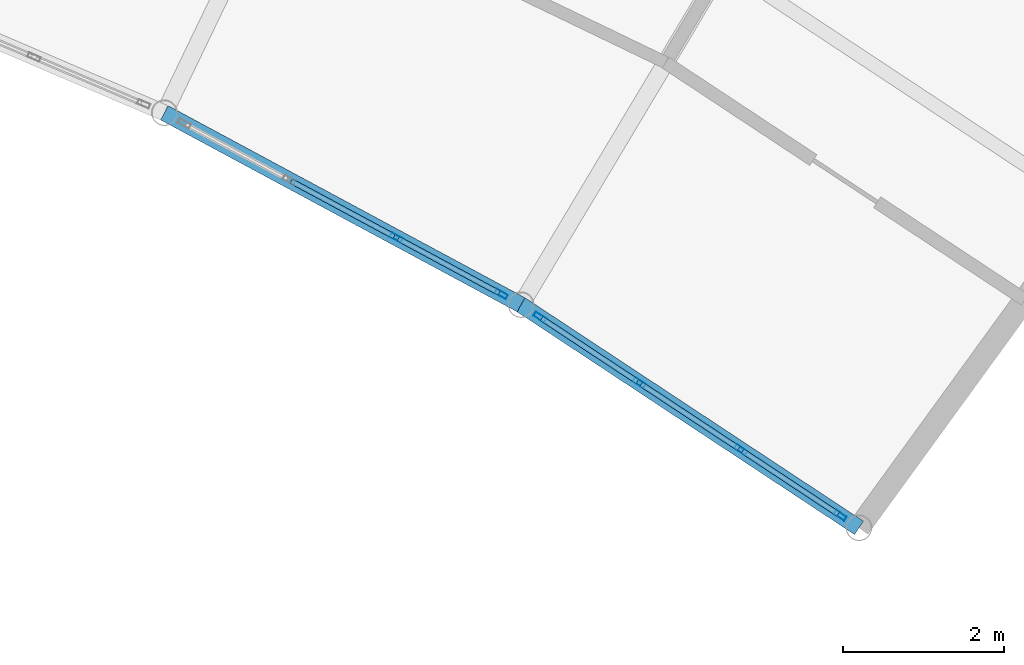
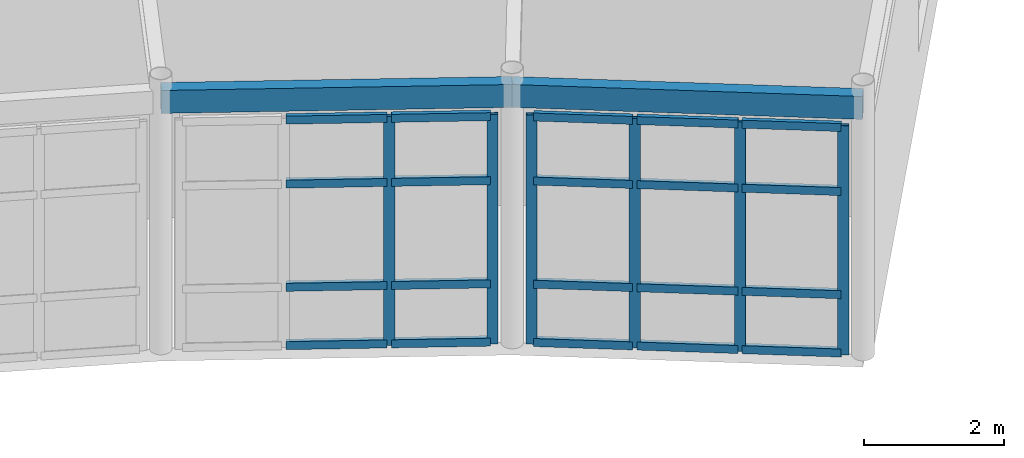
# One storey, part 76 of 116: 26 members, 2 beams, 2 elements without a shape of their own.
"""IFC4 building model written with IfcOpenShell, lengths in metres."""

from ifc_helpers import new_model, si_unit, direction, frame, origin, origin_2d, place, context, subcontext, project, spatial, hollow_rectangle, extrude, material, layer, layer_set, material_profile, profile_set, type_object, element, aggregate, save


model = new_model("IFC4")

# Units and contexts
model_context = context("Model", 3, precision=1e-05, world=origin(), true_north=direction((0.0, 1.0)))
body_context = subcontext(model_context, "Body", "Model", "MODEL_VIEW")
ifc_project = project(units=[si_unit("LENGTHUNIT", "METRE"), si_unit("AREAUNIT", "SQUARE_METRE"), si_unit("VOLUMEUNIT", "CUBIC_METRE"), si_unit("PLANEANGLEUNIT", "RADIAN"), si_unit("MASSUNIT", "GRAM", prefix="KILO")], contexts=[model_context])

# Site, building, storey
site_placement = place(None, origin())
site = spatial("IfcSite", under=ifc_project, at=site_placement, CompositionType="ELEMENT")
building_placement = place(site_placement, origin())
building = spatial("IfcBuilding", under=site, at=building_placement, Name="Selat Folded Stagehouse", CompositionType="ELEMENT")
storey_placement = place(building_placement, frame((0.0, 0.0, 5.39990234375)))
storey = spatial("IfcBuildingStorey", under=building, at=storey_placement, Name="L01", CompositionType="ELEMENT", Elevation=5.39990234375)

# Curtain wall, members
ifc_material_1 = material(Name="Aluminium 6063-T6", Category="aluminium")
ifc_layer = layer(ifc_material_1, 0.18994140625)
ifc_layer_set = layer_set([ifc_layer], Name="Aluminium 6063-T6")
curtain_wall_type = type_object("IfcCurtainWallType", Name="CW-REH-ARC", PredefinedType="NOTDEFINED", material=ifc_layer_set)
curtain_wall_1_placement = place(storey_placement, origin())
curtain_wall_1 = element("IfcCurtainWall", 1, at=curtain_wall_1_placement, inside=storey, type_object=curtain_wall_type, Name="L01 curtain wall CW-REH-L01-12", PredefinedType="NOTDEFINED")
ifc_material_profile_1 = material_profile(ifc_material_1, hollow_rectangle(XDim=0.06005859375, YDim=0.159912109375, WallThickness=0.00390625, at=origin_2d()), Name="ALU 160x60x4.0")
ifc_profile_set_1 = profile_set([ifc_material_profile_1], Name="Aluminium 6063-T6")
member_type_1 = type_object("IfcMemberType", Name="CWM-MUL-160x60", PredefinedType="MULLION", material=ifc_profile_set_1)
member_1_placement = place(storey_placement, frame((120.8759765625, 86.205810546875, 0.0), z_axis=(0.0, 0.0, 1.0), x_axis=(-0.473858636259, -0.880600927119, 0.0)))
member_1 = element("IfcMember", 2, at=member_1_placement, type_object=member_type_1, Name="CW-06 mullion 1", PredefinedType="MULLION", context=body_context, shape_type="SweptSolid", body=[
    extrude(hollow_rectangle(XDim=0.06005859375, YDim=0.159912109375, WallThickness=0.00390625, at=origin_2d()), origin(), (0.0, 0.0, 1.0), 4.0),
])
member_2_placement = place(storey_placement, frame((119.573974609375, 86.90625, 0.0), z_axis=(0.0, 0.0, 1.0), x_axis=(-0.473858636259, -0.880600927119, 0.0)))
member_2 = element("IfcMember", 3, at=member_2_placement, type_object=member_type_1, Name="CW-06 mullion 2", PredefinedType="MULLION", context=body_context, shape_type="SweptSolid", body=[
    extrude(hollow_rectangle(XDim=0.06005859375, YDim=0.159912109375, WallThickness=0.00390625, at=origin_2d()), origin(), (0.0, 0.0, 1.0), 4.0),
])

curtain_wall_2_placement = place(storey_placement, origin())
curtain_wall_2 = element("IfcCurtainWall", 4, at=curtain_wall_2_placement, inside=storey, type_object=curtain_wall_type, Name="L01 curtain wall CW-REH-L01-13", PredefinedType="NOTDEFINED")
member_3_placement = place(storey_placement, frame((125.082275390625, 83.459228515625, 0.0), z_axis=(0.0, 0.0, 1.0), x_axis=(-0.550884695619, -0.834581363399, 0.0)))
member_3 = element("IfcMember", 5, at=member_3_placement, type_object=member_type_1, Name="CW-06 mullion 1", PredefinedType="MULLION", context=body_context, shape_type="SweptSolid", body=[
    extrude(hollow_rectangle(XDim=0.06005859375, YDim=0.159912109375, WallThickness=0.00390625, at=origin_2d()), origin(), (0.0, 0.0, 1.0), 4.0),
])
member_4_placement = place(storey_placement, frame((123.8486328125, 84.273681640625, 0.0), z_axis=(0.0, 0.0, 1.0), x_axis=(-0.550884695619, -0.834581363399, 0.0)))
member_4 = element("IfcMember", 6, at=member_4_placement, type_object=member_type_1, Name="CW-06 mullion 2", PredefinedType="MULLION", context=body_context, shape_type="SweptSolid", body=[
    extrude(hollow_rectangle(XDim=0.06005859375, YDim=0.159912109375, WallThickness=0.00390625, at=origin_2d()), origin(), (0.0, 0.0, 1.0), 4.0),
])
member_5_placement = place(storey_placement, frame((122.58984375, 85.1044921875, 0.0), z_axis=(0.0, 0.0, 1.0), x_axis=(-0.550884695619, -0.834581363399, 0.0)))
member_5 = element("IfcMember", 7, at=member_5_placement, type_object=member_type_1, Name="CW-06 mullion 3", PredefinedType="MULLION", context=body_context, shape_type="SweptSolid", body=[
    extrude(hollow_rectangle(XDim=0.06005859375, YDim=0.159912109375, WallThickness=0.00390625, at=origin_2d()), origin(), (0.0, 0.0, 1.0), 4.0),
])
member_6_placement = place(storey_placement, frame((121.35595703125, 85.9189453125, 0.0), z_axis=(0.0, 0.0, 1.0), x_axis=(-0.550884695619, -0.834581363399, 0.0)))
member_6 = element("IfcMember", 8, at=member_6_placement, type_object=member_type_1, Name="CW-06 mullion 4", PredefinedType="MULLION", context=body_context, shape_type="SweptSolid", body=[
    extrude(hollow_rectangle(XDim=0.06005859375, YDim=0.159912109375, WallThickness=0.00390625, at=origin_2d()), origin(), (0.0, 0.0, 1.0), 4.0),
])

# Member
ifc_material_profile_2 = material_profile(ifc_material_1, hollow_rectangle(XDim=0.06494140625, YDim=0.139892578125, WallThickness=0.00390625, at=origin_2d()), Name="ALU 140x65x4.0")
ifc_profile_set_2 = profile_set([ifc_material_profile_2], Name="Aluminium 6063-T6")
member_type_2 = type_object("IfcMemberType", Name="CWM-TRN-140x65", PredefinedType="USERDEFINED", material=ifc_profile_set_2)
member_7_placement = place(storey_placement, frame((120.849365234375, 86.219970703125, 0.03271484375), z_axis=(-0.880559529871, 0.473935559283, 0.0), x_axis=(-0.473935559283, -0.880559529871, 0.0)))
member_7 = element("IfcMember", 9, at=member_7_placement, type_object=member_type_2, Name="CW-06 transom 1.1", ObjectType="TRANSOM", PredefinedType="USERDEFINED", context=body_context, shape_type="SweptSolid", body=[
    extrude(hollow_rectangle(XDim=0.06494140625, YDim=0.139892578125, WallThickness=0.00390625, at=origin_2d()), origin(), (0.0, 0.0, 1.0), 1.418212890625),
])

member_8_placement = place(storey_placement, frame((120.849365234375, 86.219970703125, 1.050048828125), z_axis=(-0.880559529871, 0.473935559283, 0.0), x_axis=(-0.473935559283, -0.880559529871, 0.0)))
member_8 = element("IfcMember", 10, at=member_8_placement, type_object=member_type_2, Name="CW-06 transom 1.2", ObjectType="TRANSOM", PredefinedType="USERDEFINED", context=body_context, shape_type="SweptSolid", body=[
    extrude(hollow_rectangle(XDim=0.06494140625, YDim=0.139892578125, WallThickness=0.00390625, at=origin_2d()), origin(), (0.0, 0.0, 1.0), 1.418212890625),
])

member_9_placement = place(storey_placement, frame((120.849365234375, 86.219970703125, 2.85009765625), z_axis=(-0.880559529871, 0.473935559283, 0.0), x_axis=(-0.473935559283, -0.880559529871, 0.0)))
member_9 = element("IfcMember", 11, at=member_9_placement, type_object=member_type_2, Name="CW-06 transom 1.3", ObjectType="TRANSOM", PredefinedType="USERDEFINED", context=body_context, shape_type="SweptSolid", body=[
    extrude(hollow_rectangle(XDim=0.06494140625, YDim=0.139892578125, WallThickness=0.00390625, at=origin_2d()), origin(), (0.0, 0.0, 1.0), 1.418212890625),
])

member_10_placement = place(storey_placement, frame((120.849365234375, 86.219970703125, 3.967529296875), z_axis=(-0.880559529871, 0.473935559283, 0.0), x_axis=(-0.473935559283, -0.880559529871, 0.0)))
member_10 = element("IfcMember", 12, at=member_10_placement, type_object=member_type_2, Name="CW-06 transom 1.4", ObjectType="TRANSOM", PredefinedType="USERDEFINED", context=body_context, shape_type="SweptSolid", body=[
    extrude(hollow_rectangle(XDim=0.06494140625, YDim=0.139892578125, WallThickness=0.00390625, at=origin_2d()), origin(), (0.0, 0.0, 1.0), 1.418212890625),
])

member_11_placement = place(storey_placement, frame((119.547607421875, 86.920654296875, 0.03271484375), z_axis=(-0.880606383505, 0.473848496178, 0.0), x_axis=(-0.473848496178, -0.880606383505, 0.0)))
member_11 = element("IfcMember", 13, at=member_11_placement, type_object=member_type_2, Name="CW-06 transom 2.1", ObjectType="TRANSOM", PredefinedType="USERDEFINED", context=body_context, shape_type="SweptSolid", body=[
    extrude(hollow_rectangle(XDim=0.06494140625, YDim=0.139892578125, WallThickness=0.00390625, at=origin_2d()), origin(), (0.0, 0.0, 1.0), 1.4482421875),
])

member_12_placement = place(storey_placement, frame((119.547607421875, 86.920654296875, 1.050048828125), z_axis=(-0.880606383505, 0.473848496178, 0.0), x_axis=(-0.473848496178, -0.880606383505, 0.0)))
member_12 = element("IfcMember", 14, at=member_12_placement, type_object=member_type_2, Name="CW-06 transom 2.2", ObjectType="TRANSOM", PredefinedType="USERDEFINED", context=body_context, shape_type="SweptSolid", body=[
    extrude(hollow_rectangle(XDim=0.06494140625, YDim=0.139892578125, WallThickness=0.00390625, at=origin_2d()), origin(), (0.0, 0.0, 1.0), 1.4482421875),
])

member_13_placement = place(storey_placement, frame((119.547607421875, 86.920654296875, 2.85009765625), z_axis=(-0.880606383505, 0.473848496178, 0.0), x_axis=(-0.473848496178, -0.880606383505, 0.0)))
member_13 = element("IfcMember", 15, at=member_13_placement, type_object=member_type_2, Name="CW-06 transom 2.3", ObjectType="TRANSOM", PredefinedType="USERDEFINED", context=body_context, shape_type="SweptSolid", body=[
    extrude(hollow_rectangle(XDim=0.06494140625, YDim=0.139892578125, WallThickness=0.00390625, at=origin_2d()), origin(), (0.0, 0.0, 1.0), 1.4482421875),
])

member_14_placement = place(storey_placement, frame((119.547607421875, 86.920654296875, 3.967529296875), z_axis=(-0.880606383505, 0.473848496178, 0.0), x_axis=(-0.473848496178, -0.880606383505, 0.0)))
member_14 = element("IfcMember", 16, at=member_14_placement, type_object=member_type_2, Name="CW-06 transom 2.4", ObjectType="TRANSOM", PredefinedType="USERDEFINED", context=body_context, shape_type="SweptSolid", body=[
    extrude(hollow_rectangle(XDim=0.06494140625, YDim=0.139892578125, WallThickness=0.00390625, at=origin_2d()), origin(), (0.0, 0.0, 1.0), 1.4482421875),
])

aggregate(curtain_wall_1, [member_1, member_2, member_7, member_8, member_9, member_10, member_11, member_12, member_13, member_14])

member_15_placement = place(storey_placement, frame((125.057373046875, 83.475830078125, 0.03271484375), z_axis=(-0.834636310659, 0.550801442382, 0.0), x_axis=(-0.550801442382, -0.834636310659, 0.0)))
member_15 = element("IfcMember", 17, at=member_15_placement, type_object=member_type_2, Name="CW-06 transom 1.1", ObjectType="TRANSOM", PredefinedType="USERDEFINED", context=body_context, shape_type="SweptSolid", body=[
    extrude(hollow_rectangle(XDim=0.06494140625, YDim=0.139892578125, WallThickness=0.00390625, at=origin_2d()), origin(), (0.0, 0.0, 1.0), 1.41845703125),
])

member_16_placement = place(storey_placement, frame((125.057373046875, 83.475830078125, 1.050048828125), z_axis=(-0.834636310659, 0.550801442382, 0.0), x_axis=(-0.550801442382, -0.834636310659, 0.0)))
member_16 = element("IfcMember", 18, at=member_16_placement, type_object=member_type_2, Name="CW-06 transom 1.2", ObjectType="TRANSOM", PredefinedType="USERDEFINED", context=body_context, shape_type="SweptSolid", body=[
    extrude(hollow_rectangle(XDim=0.06494140625, YDim=0.139892578125, WallThickness=0.00390625, at=origin_2d()), origin(), (0.0, 0.0, 1.0), 1.41845703125),
])

member_17_placement = place(storey_placement, frame((125.057373046875, 83.475830078125, 2.85009765625), z_axis=(-0.834636310659, 0.550801442382, 0.0), x_axis=(-0.550801442382, -0.834636310659, 0.0)))
member_17 = element("IfcMember", 19, at=member_17_placement, type_object=member_type_2, Name="CW-06 transom 1.3", ObjectType="TRANSOM", PredefinedType="USERDEFINED", context=body_context, shape_type="SweptSolid", body=[
    extrude(hollow_rectangle(XDim=0.06494140625, YDim=0.139892578125, WallThickness=0.00390625, at=origin_2d()), origin(), (0.0, 0.0, 1.0), 1.41845703125),
])

member_18_placement = place(storey_placement, frame((125.057373046875, 83.475830078125, 3.967529296875), z_axis=(-0.834636310659, 0.550801442382, 0.0), x_axis=(-0.550801442382, -0.834636310659, 0.0)))
member_18 = element("IfcMember", 20, at=member_18_placement, type_object=member_type_2, Name="CW-06 transom 1.4", ObjectType="TRANSOM", PredefinedType="USERDEFINED", context=body_context, shape_type="SweptSolid", body=[
    extrude(hollow_rectangle(XDim=0.06494140625, YDim=0.139892578125, WallThickness=0.00390625, at=origin_2d()), origin(), (0.0, 0.0, 1.0), 1.41845703125),
])

member_19_placement = place(storey_placement, frame((123.823486328125, 84.2900390625, 0.03271484375), z_axis=(-0.834583056491, 0.550882130603, 0.0), x_axis=(-0.550882130603, -0.834583056491, 0.0)))
member_19 = element("IfcMember", 21, at=member_19_placement, type_object=member_type_2, Name="CW-06 transom 2.1", ObjectType="TRANSOM", PredefinedType="USERDEFINED", context=body_context, shape_type="SweptSolid", body=[
    extrude(hollow_rectangle(XDim=0.06494140625, YDim=0.139892578125, WallThickness=0.00390625, at=origin_2d()), origin(), (0.0, 0.0, 1.0), 1.4482421875),
])

member_20_placement = place(storey_placement, frame((123.823486328125, 84.2900390625, 1.050048828125), z_axis=(-0.834583056491, 0.550882130603, 0.0), x_axis=(-0.550882130603, -0.834583056491, 0.0)))
member_20 = element("IfcMember", 22, at=member_20_placement, type_object=member_type_2, Name="CW-06 transom 2.2", ObjectType="TRANSOM", PredefinedType="USERDEFINED", context=body_context, shape_type="SweptSolid", body=[
    extrude(hollow_rectangle(XDim=0.06494140625, YDim=0.139892578125, WallThickness=0.00390625, at=origin_2d()), origin(), (0.0, 0.0, 1.0), 1.4482421875),
])

member_21_placement = place(storey_placement, frame((123.823486328125, 84.2900390625, 2.85009765625), z_axis=(-0.834583056491, 0.550882130603, 0.0), x_axis=(-0.550882130603, -0.834583056491, 0.0)))
member_21 = element("IfcMember", 23, at=member_21_placement, type_object=member_type_2, Name="CW-06 transom 2.3", ObjectType="TRANSOM", PredefinedType="USERDEFINED", context=body_context, shape_type="SweptSolid", body=[
    extrude(hollow_rectangle(XDim=0.06494140625, YDim=0.139892578125, WallThickness=0.00390625, at=origin_2d()), origin(), (0.0, 0.0, 1.0), 1.4482421875),
])

member_22_placement = place(storey_placement, frame((123.823486328125, 84.2900390625, 3.967529296875), z_axis=(-0.834583056491, 0.550882130603, 0.0), x_axis=(-0.550882130603, -0.834583056491, 0.0)))
member_22 = element("IfcMember", 24, at=member_22_placement, type_object=member_type_2, Name="CW-06 transom 2.4", ObjectType="TRANSOM", PredefinedType="USERDEFINED", context=body_context, shape_type="SweptSolid", body=[
    extrude(hollow_rectangle(XDim=0.06494140625, YDim=0.139892578125, WallThickness=0.00390625, at=origin_2d()), origin(), (0.0, 0.0, 1.0), 1.4482421875),
])

member_23_placement = place(storey_placement, frame((122.564697265625, 85.12109375, 0.03271484375), z_axis=(-0.834584079601, 0.550880580595, 0.0), x_axis=(-0.550880580595, -0.834584079601, 0.0)))
member_23 = element("IfcMember", 25, at=member_23_placement, type_object=member_type_2, Name="CW-06 transom 3.1", ObjectType="TRANSOM", PredefinedType="USERDEFINED", context=body_context, shape_type="SweptSolid", body=[
    extrude(hollow_rectangle(XDim=0.06494140625, YDim=0.139892578125, WallThickness=0.00390625, at=origin_2d()), origin(), (0.0, 0.0, 1.0), 1.418212890625),
])

member_24_placement = place(storey_placement, frame((122.564697265625, 85.12109375, 1.050048828125), z_axis=(-0.834584079601, 0.550880580595, 0.0), x_axis=(-0.550880580595, -0.834584079601, 0.0)))
member_24 = element("IfcMember", 26, at=member_24_placement, type_object=member_type_2, Name="CW-06 transom 3.2", ObjectType="TRANSOM", PredefinedType="USERDEFINED", context=body_context, shape_type="SweptSolid", body=[
    extrude(hollow_rectangle(XDim=0.06494140625, YDim=0.139892578125, WallThickness=0.00390625, at=origin_2d()), origin(), (0.0, 0.0, 1.0), 1.418212890625),
])

member_25_placement = place(storey_placement, frame((122.564697265625, 85.12109375, 2.85009765625), z_axis=(-0.834584079601, 0.550880580595, 0.0), x_axis=(-0.550880580595, -0.834584079601, 0.0)))
member_25 = element("IfcMember", 27, at=member_25_placement, type_object=member_type_2, Name="CW-06 transom 3.3", ObjectType="TRANSOM", PredefinedType="USERDEFINED", context=body_context, shape_type="SweptSolid", body=[
    extrude(hollow_rectangle(XDim=0.06494140625, YDim=0.139892578125, WallThickness=0.00390625, at=origin_2d()), origin(), (0.0, 0.0, 1.0), 1.418212890625),
])

member_26_placement = place(storey_placement, frame((122.564697265625, 85.12109375, 3.967529296875), z_axis=(-0.834584079601, 0.550880580595, 0.0), x_axis=(-0.550880580595, -0.834584079601, 0.0)))
member_26 = element("IfcMember", 28, at=member_26_placement, type_object=member_type_2, Name="CW-06 transom 3.4", ObjectType="TRANSOM", PredefinedType="USERDEFINED", context=body_context, shape_type="SweptSolid", body=[
    extrude(hollow_rectangle(XDim=0.06494140625, YDim=0.139892578125, WallThickness=0.00390625, at=origin_2d()), origin(), (0.0, 0.0, 1.0), 1.418212890625),
])

aggregate(curtain_wall_2, [member_3, member_4, member_5, member_6, member_15, member_16, member_17, member_18, member_19, member_20, member_21, member_22, member_23, member_24, member_25, member_26])

# Beams
ifc_material_2 = material(Name="Steel S355", Category="steel")
ifc_material_profile_3 = material_profile(ifc_material_2, hollow_rectangle(XDim=0.199951171875, YDim=0.39990234375, WallThickness=0.012451171875, at=origin_2d()), Name="RHS 400x200x12.5")
ifc_profile_set_3 = profile_set([ifc_material_profile_3], Name="Steel S355")
beam_type = type_object("IfcBeamType", Name="SPD-EXT-400x200", PredefinedType="SPANDREL", material=ifc_profile_set_3)
for number, where, z_axis, x_axis, name in (
    (29, (116.697509765625, 88.454345703125, 4.3701171875), (0.880574045979, -0.473908587755, 0.0), (0.473908587755, 0.880574045979, 0.0), "L01 inner curved rehearsal spandrel 13"),
    (30, (121.122314453125, 86.072998046875, 4.3701171875), (0.834583047468, -0.550882144274, 0.0), (0.550882144274, 0.834583047468, 0.0), "L01 inner curved rehearsal spandrel 14"),
):
    element("IfcBeam", number, at=place(storey_placement, frame(where, z_axis=z_axis, x_axis=x_axis)), inside=storey, type_object=beam_type, Name=name, PredefinedType="SPANDREL", context=body_context, shape_type="SweptSolid", body=[
        extrude(hollow_rectangle(XDim=0.199951171875, YDim=0.39990234375, WallThickness=0.012451171875, at=origin_2d()), origin(), (0.0, 0.0, 1.0), 5.02490234375),
    ])

save(model, "model.ifc")
